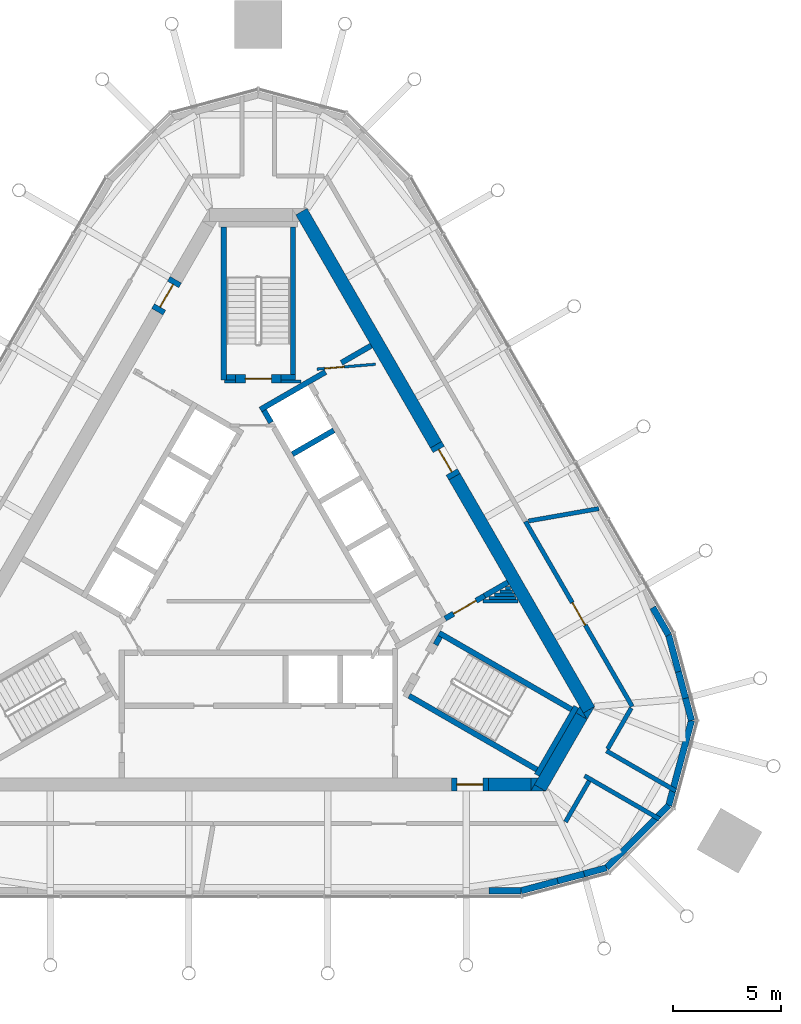
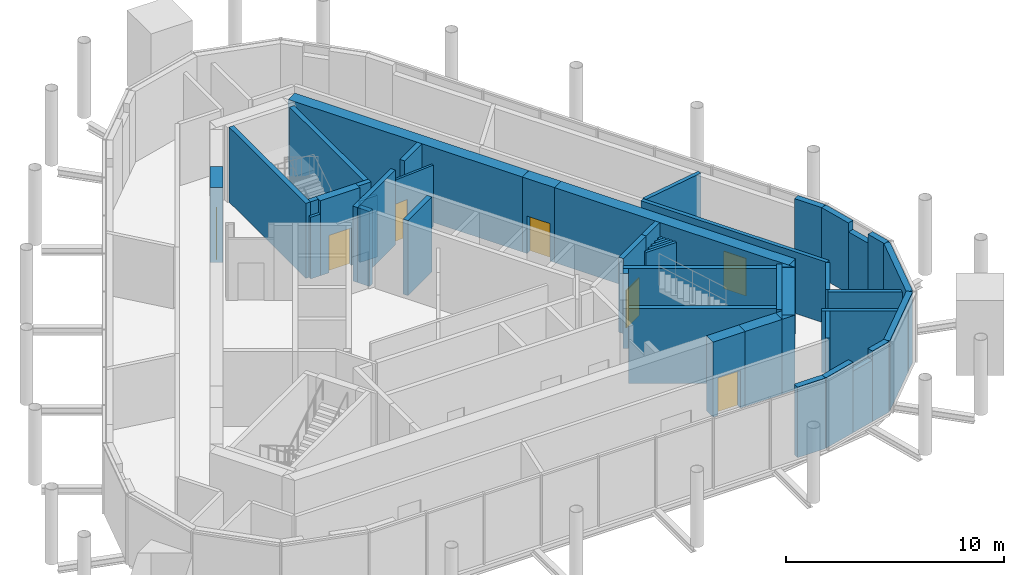
# One storey, part 9 of 11: 50 walls, 7 doors, 7 openings.
"""IFC4 building model written with IfcOpenShell, lengths in metres."""

from ifc_helpers import new_model, si_unit, direction, frame, frame_2d, origin, place, context, subcontext, project, spatial, polyline, rectangle, outline, extrude, material, layer, layer_set, type_object, element, fill, save


model = new_model("IFC4")

# Units and contexts
model_context = context("Model", 3, precision=1e-05, world=origin(), true_north=direction((0.0, 1.0)))
body_context = subcontext(model_context, "Body", "Model", "MODEL_VIEW")
ifc_project = project(units=[si_unit("LENGTHUNIT", "METRE"), si_unit("AREAUNIT", "SQUARE_METRE"), si_unit("VOLUMEUNIT", "CUBIC_METRE"), si_unit("PLANEANGLEUNIT", "RADIAN"), si_unit("MASSUNIT", "GRAM", prefix="KILO")], contexts=[model_context])

# Site, building, storey
site_placement = place(None, origin())
site = spatial("IfcSite", under=ifc_project, at=site_placement, CompositionType="ELEMENT")
building_placement = place(site_placement, origin())
building = spatial("IfcBuilding", under=site, at=building_placement, Name="Mestral Congress Tower", CompositionType="ELEMENT")
storey_placement = place(building_placement, frame((0.0, 0.0, 331.800048828125)))
storey = spatial("IfcBuildingStorey", under=building, at=storey_placement, Name="L77", CompositionType="ELEMENT", Elevation=331.800048828125)

# Walls
ifc_material_1 = material(Name="Fire-rated board partition")
ifc_layer_1 = layer(ifc_material_1, 0.14990234375)
ifc_layer_set_1 = layer_set([ifc_layer_1], Name="Fire-rated board partition")
wall_type_1 = type_object("IfcWallType", Name="Core partition 150", PredefinedType="PARTITIONING", material=ifc_layer_set_1)
wall_1_placement = place(storey_placement, frame((1.050048828125, 8.62548828125, 0.0), z_axis=(0.0, 0.0, 1.0), x_axis=(1.0, 0.0, 0.0)))
element("IfcWall", 1, at=wall_1_placement, inside=storey, type_object=wall_type_1, Name="L77 core wall", PredefinedType="PARTITIONING", context=body_context, shape_type="SweptSolid", body=[
    extrude(rectangle(XDim=0.9287109375, YDim=0.14990234375, at=frame_2d((0.46435546875, 0.0))), origin(), (0.0, 0.0, 1.0), 3.449951171875),
])
wall_2_placement = place(storey_placement, frame((-1.56396484375, 8.62548828125, 0.0), z_axis=(0.0, 0.0, 1.0), x_axis=(1.0, 0.0, 0.0)))
element("IfcWall", 2, at=wall_2_placement, inside=storey, type_object=wall_type_1, Name="L77 core wall", PredefinedType="PARTITIONING", context=body_context, shape_type="SweptSolid", body=[
    extrude(rectangle(XDim=0.513916015625, YDim=0.14990234375, at=frame_2d((0.2568359375, 0.0))), origin(), (0.0, 0.0, 1.0), 3.449951171875),
])
wall_3_placement = place(storey_placement, frame((10.3623046875, -1.5, 0.0), z_axis=(0.0, 0.0, 1.0), x_axis=(1.0, 0.0, 0.0)))
element("IfcWall", 3, at=wall_3_placement, inside=storey, type_object=wall_type_1, Name="L77 core wall", PredefinedType="PARTITIONING", context=body_context, shape_type="SweptSolid", body=[
    extrude(rectangle(XDim=1.60986328125, YDim=0.14990234375, at=frame_2d((0.804931640625, 0.0))), origin(), (0.0, 0.0, 1.0), 3.449951171875),
])
wall_4_placement = place(storey_placement, frame((10.6220703125, -1.35009765625, 0.0), z_axis=(0.0, 0.0, 1.0), x_axis=(1.0, 0.0, 0.0)))
element("IfcWall", 4, at=wall_4_placement, inside=storey, type_object=wall_type_1, Name="L77 core wall", PredefinedType="PARTITIONING", context=body_context, shape_type="SweptSolid", body=[
    extrude(rectangle(XDim=1.263427734375, YDim=0.14990234375, at=frame_2d((0.6318359375, 0.0))), origin(), (0.0, 0.0, 1.0), 3.449951171875),
])
wall_5_placement = place(storey_placement, frame((10.881591796875, -1.199951171875, 0.0), z_axis=(0.0, 0.0, 1.0), x_axis=(1.0, 0.0, 0.0)))
element("IfcWall", 5, at=wall_5_placement, inside=storey, type_object=wall_type_1, Name="L77 core wall", PredefinedType="PARTITIONING", context=body_context, shape_type="SweptSolid", body=[
    extrude(rectangle(XDim=0.91748046875, YDim=0.14990234375, at=frame_2d((0.458740234375, 0.0))), origin(), (0.0, 0.0, 1.0), 3.449951171875),
])
wall_6_placement = place(storey_placement, frame((11.71240234375, -1.050048828125, 0.0), z_axis=(0.0, 0.0, 1.0), x_axis=(-1.0, 0.0, 0.0)))
element("IfcWall", 6, at=wall_6_placement, inside=storey, type_object=wall_type_1, Name="L77 core wall", PredefinedType="PARTITIONING", context=body_context, shape_type="SweptSolid", body=[
    extrude(rectangle(XDim=0.57080078125, YDim=0.14990234375, at=frame_2d((0.285400390625, 0.0))), origin(), (0.0, 0.0, 1.0), 3.449951171875),
])
wall_7_placement = place(storey_placement, frame((11.4013671875, -0.89990234375, 0.0), z_axis=(0.0, 0.0, 1.0), x_axis=(1.0, 0.0, 0.0)))
element("IfcWall", 7, at=wall_7_placement, inside=storey, type_object=wall_type_1, Name="L77 core wall", PredefinedType="PARTITIONING", context=body_context, shape_type="SweptSolid", body=[
    extrude(rectangle(XDim=0.224365234375, YDim=0.14990234375, at=frame_2d((0.1123046875, 0.0))), origin(), (0.0, 0.0, 1.0), 3.449951171875),
])

# Wall, opening, door
ifc_layer_2 = layer(ifc_material_1, 0.1201171875)
ifc_layer_set_2 = layer_set([ifc_layer_2], Name="Fire-rated board partition")
wall_type_2 = type_object("IfcWallType", Name="Core partition 150 door-wall 120", PredefinedType="PARTITIONING", material=ifc_layer_set_2)
wall_8_placement = place(storey_placement, frame((5.3984375, 9.418701171875, 0.0), z_axis=(0.0, 0.0, 1.0), x_axis=(-0.996653416376, -0.081743303248, 0.0)))
wall_8 = element("IfcWall", 8, at=wall_8_placement, inside=storey, type_object=wall_type_2, Name="L77 door wall", PredefinedType="PARTITIONING", context=body_context, shape_type="SweptSolid", body=[
    extrude(rectangle(XDim=2.699951171875, YDim=0.119873046875, at=frame_2d((1.35009765625, 0.0))), origin(), (0.0, 0.0, 1.0), 3.449951171875),
])
opening_1_placement = place(wall_8_placement, frame((1.449951171875, 0.0, 0.0)))
opening_1 = element("IfcOpeningElement", 9, at=opening_1_placement, cuts=wall_8, Name="Opening TD2", PredefinedType="OPENING", context=body_context, shape_type="SweptSolid", body=[
    extrude(rectangle(XDim=0.89990234375, YDim=2.10009765625, at=frame_2d((0.449951171875, 1.050048828125))), frame((0.0, 0.06982421875, 0.0), z_axis=(0.0, -1.0, 0.0), x_axis=(1.0, 0.0, 0.0)), (0.0, 0.0, 1.0), 0.139892578125),
])
ifc_material_2 = material(Name="Fire-rated steel door set", Category="steel")
door_type_1 = type_object("IfcDoorType", Name="Core door SR 900x2100", OperationType="SINGLE_SWING_LEFT", PredefinedType="DOOR", material=ifc_material_2)
door_1_placement = place(opening_1_placement, origin())
door_1 = element("IfcDoor", 10, at=door_1_placement, inside=storey, type_object=door_type_1, Name="Door TD2", OperationType="SINGLE_SWING_LEFT", OverallHeight=2.10009765625, OverallWidth=0.89990234375, PredefinedType="DOOR", context=body_context, shape_type="SweptSolid", body=[
    extrude(rectangle(XDim=0.89990234375, YDim=2.10009765625, at=frame_2d((0.449951171875, 1.050048828125))), frame((0.0, 0.02490234375, 0.0), z_axis=(0.0, -1.0, 0.0), x_axis=(1.0, 0.0, 0.0)), (0.0, 0.0, 1.0), 0.050048828125),
])
fill(opening_1, door_1)

# Walls
ifc_material_3 = material(Name="Concrete C60/75", Category="concrete")
ifc_layer_3 = layer(ifc_material_3, 0.60009765625)
ifc_layer_set_3 = layer_set([ifc_layer_3], Name="Concrete C60/75")
wall_type_3 = type_object("IfcWallType", Name="Core wall RC 600", PredefinedType="SOLIDWALL", material=ifc_layer_set_3)
wall_9_placement = place(storey_placement, frame((9.0419921875, 4.23876953125, 0.0), z_axis=(0.0, 0.0, 1.0), x_axis=(0.500005785455, -0.866022063525, 0.0)))
element("IfcWall", 11, at=wall_9_placement, inside=storey, type_object=wall_type_3, Name="L77 core wall", PredefinedType="SOLIDWALL", context=body_context, shape_type="SweptSolid", body=[
    extrude(rectangle(XDim=12.406494140625, YDim=0.60009765625, at=frame_2d((6.203125, 0.0))), origin(), (0.0, 0.0, 1.0), 4.199951171875),
])
placement = place(storey_placement, origin())
element("IfcWall", 12, at=placement, inside=storey, type_object=wall_type_3, Name="L77 core wall", PredefinedType="SOLIDWALL", context=body_context, shape_type="SweptSolid", body=[
    extrude(outline(polyline([(15.155517578125, -6.949951171875), (14.986572265625, -6.6572265625), (15.493408203125, -6.364501953125), (15.155517578125, -6.949951171875)])), origin(), (0.0, 0.0, 1.0), 4.199951171875),
])
wall_11_placement = place(storey_placement, frame((12.9873046875, -10.105712890625, 0.0), z_axis=(0.0, 0.0, 1.0), x_axis=(0.499950938802, 0.866053727428, 0.0)))
element("IfcWall", 13, at=wall_11_placement, inside=storey, type_object=wall_type_3, Name="L77 core wall", PredefinedType="SOLIDWALL", context=body_context, shape_type="SweptSolid", body=[
    extrude(rectangle(XDim=3.8232421875, YDim=0.60009765625, at=frame_2d((1.91162109375, 0.0))), origin(), (0.0, 0.0, 1.0), 4.199951171875),
])
element("IfcWall", 14, at=placement, inside=storey, type_object=wall_type_3, Name="L77 core wall", PredefinedType="SOLIDWALL", context=body_context, shape_type="SweptSolid", body=[
    extrude(outline(polyline([(12.726318359375, -9.957275390625), (13.2333984375, -10.25), (12.557373046875, -10.25), (12.726318359375, -9.957275390625)])), origin(), (0.0, 0.0, 1.0), 4.199951171875),
])
element("IfcWall", 15, at=placement, inside=storey, type_object=wall_type_3, Name="L77 core wall", PredefinedType="SOLIDWALL", context=body_context, shape_type="SweptSolid", body=[
    extrude(outline(polyline([(14.80908203125, -6.35009765625), (15.147216796875, -6.935791015625), (14.639892578125, -6.642822265625), (14.80908203125, -6.35009765625)])), origin(), (0.0, 0.0, 1.0), 4.199951171875),
])
wall_14_placement = place(storey_placement, frame((10.6044921875, -9.949951171875, 0.0), z_axis=(0.0, 0.0, 1.0), x_axis=(1.0, 0.0, 0.0)))
element("IfcWall", 16, at=wall_14_placement, inside=storey, type_object=wall_type_3, Name="L77 core wall", PredefinedType="SOLIDWALL", context=body_context, shape_type="SweptSolid", body=[
    extrude(rectangle(XDim=1.959228515625, YDim=0.60009765625, at=frame_2d((0.9794921875, 0.0))), origin(), (0.0, 0.0, 1.0), 4.199951171875),
])
element("IfcWall", 17, at=placement, inside=storey, type_object=wall_type_3, Name="L77 core wall", PredefinedType="SOLIDWALL", context=body_context, shape_type="SweptSolid", body=[
    extrude(outline(polyline([(12.90380859375, -9.64990234375), (12.56591796875, -10.235595703125), (12.56591796875, -9.64990234375), (12.90380859375, -9.64990234375)])), origin(), (0.0, 0.0, 1.0), 4.199951171875),
])
wall_16_placement = place(storey_placement, frame((1.98876953125, 16.45556640625, 0.0), z_axis=(0.0, 0.0, 1.0), x_axis=(0.49999102663, -0.8660305845, 0.0)))
element("IfcWall", 18, at=wall_16_placement, inside=storey, type_object=wall_type_3, Name="L77 core wall", PredefinedType="SOLIDWALL", context=body_context, shape_type="SweptSolid", body=[
    extrude(rectangle(XDim=12.406494140625, YDim=0.60009765625, at=frame_2d((6.203125, 0.0))), origin(), (0.0, 0.0, 1.0), 4.199951171875),
])

# Wall, opening, door
wall_17_placement = place(storey_placement, frame((10.6044921875, -9.949951171875, 0.0), z_axis=(0.0, 0.0, 1.0), x_axis=(-1.0, 0.0, 0.0)))
wall_17 = element("IfcWall", 19, at=wall_17_placement, inside=storey, type_object=wall_type_3, Name="L77 door wall", PredefinedType="SOLIDWALL", context=body_context, shape_type="SweptSolid", body=[
    extrude(rectangle(XDim=1.699951171875, YDim=0.60009765625, at=frame_2d((0.85009765625, 0.0))), origin(), (0.0, 0.0, 1.0), 4.199951171875),
])
opening_2_placement = place(wall_17_placement, frame((0.25, 0.0, 0.0)))
opening_2 = element("IfcOpeningElement", 20, at=opening_2_placement, cuts=wall_17, Name="Opening XD1", PredefinedType="OPENING", context=body_context, shape_type="SweptSolid", body=[
    extrude(rectangle(XDim=1.199951171875, YDim=2.10009765625, at=frame_2d((0.60009765625, 1.050048828125))), frame((0.0, 0.31005859375, 0.0), z_axis=(0.0, -1.0, 0.0), x_axis=(1.0, 0.0, 0.0)), (0.0, 0.0, 1.0), 0.6201171875),
])
door_type_2 = type_object("IfcDoorType", Name="Core door XD 1200x2100", OperationType="SINGLE_SWING_LEFT", PredefinedType="DOOR", material=ifc_material_2)
door_2_placement = place(opening_2_placement, origin())
door_2 = element("IfcDoor", 21, at=door_2_placement, inside=storey, type_object=door_type_2, Name="Door XD1", OperationType="SINGLE_SWING_LEFT", OverallHeight=2.10009765625, OverallWidth=1.199951171875, PredefinedType="DOOR", context=body_context, shape_type="SweptSolid", body=[
    extrude(rectangle(XDim=1.199951171875, YDim=2.10009765625, at=frame_2d((0.60009765625, 1.050048828125))), frame((0.0, 0.02490234375, 0.0), z_axis=(0.0, -1.0, 0.0), x_axis=(1.0, 0.0, 0.0)), (0.0, 0.0, 1.0), 0.050048828125),
])
fill(opening_2, door_2)

wall_18_placement = place(storey_placement, frame((-4.65234375, 11.842041015625, 0.0), z_axis=(0.0, 0.0, 1.0), x_axis=(0.500062241894, 0.865989465428, 0.0)))
wall_18 = element("IfcWall", 22, at=wall_18_placement, inside=storey, type_object=wall_type_3, Name="L77 door wall", PredefinedType="SOLIDWALL", context=body_context, shape_type="SweptSolid", body=[
    extrude(rectangle(XDim=1.699951171875, YDim=0.60009765625, at=frame_2d((0.85009765625, 0.0))), origin(), (0.0, 0.0, 1.0), 4.199951171875),
])
opening_3_placement = place(wall_18_placement, frame((0.25, 0.0, 0.0)))
opening_3 = element("IfcOpeningElement", 23, at=opening_3_placement, cuts=wall_18, Name="Opening XD2", PredefinedType="OPENING", context=body_context, shape_type="SweptSolid", body=[
    extrude(rectangle(XDim=1.199951171875, YDim=2.10009765625, at=frame_2d((0.60009765625, 1.050048828125))), frame((0.0, 0.31005859375, 0.0), z_axis=(0.0, -1.0, 0.0), x_axis=(1.0, 0.0, 0.0)), (0.0, 0.0, 1.0), 0.6201171875),
])
door_3_placement = place(opening_3_placement, origin())
door_3 = element("IfcDoor", 24, at=door_3_placement, inside=storey, type_object=door_type_2, Name="Door XD2", OperationType="SINGLE_SWING_LEFT", OverallHeight=2.10009765625, OverallWidth=1.199951171875, PredefinedType="DOOR", context=body_context, shape_type="SweptSolid", body=[
    extrude(rectangle(XDim=1.199951171875, YDim=2.10009765625, at=frame_2d((0.60009765625, 1.050048828125))), frame((0.0, 0.02490234375, 0.0), z_axis=(0.0, -1.0, 0.0), x_axis=(1.0, 0.0, 0.0)), (0.0, 0.0, 1.0), 0.050048828125),
])
fill(opening_3, door_3)

wall_19_placement = place(storey_placement, frame((8.19189453125, 5.711181640625, 0.0), z_axis=(0.0, 0.0, 1.0), x_axis=(0.500062241894, -0.865989465428, 0.0)))
wall_19 = element("IfcWall", 25, at=wall_19_placement, inside=storey, type_object=wall_type_3, Name="L77 door wall", PredefinedType="SOLIDWALL", context=body_context, shape_type="SweptSolid", body=[
    extrude(rectangle(XDim=1.699951171875, YDim=0.60009765625, at=frame_2d((0.85009765625, 0.0))), origin(), (0.0, 0.0, 1.0), 4.199951171875),
])
opening_4_placement = place(wall_19_placement, frame((0.25, 0.0, 0.0)))
opening_4 = element("IfcOpeningElement", 26, at=opening_4_placement, cuts=wall_19, Name="Opening XDL", PredefinedType="OPENING", context=body_context, shape_type="SweptSolid", body=[
    extrude(rectangle(XDim=1.199951171875, YDim=2.10009765625, at=frame_2d((0.60009765625, 1.050048828125))), frame((0.0, 0.31005859375, 0.0), z_axis=(0.0, -1.0, 0.0), x_axis=(1.0, 0.0, 0.0)), (0.0, 0.0, 1.0), 0.6201171875),
])
door_4_placement = place(opening_4_placement, origin())
door_4 = element("IfcDoor", 27, at=door_4_placement, inside=storey, type_object=door_type_2, Name="Door XDL", OperationType="SINGLE_SWING_LEFT", OverallHeight=2.10009765625, OverallWidth=1.199951171875, PredefinedType="DOOR", context=body_context, shape_type="SweptSolid", body=[
    extrude(rectangle(XDim=1.199951171875, YDim=2.10009765625, at=frame_2d((0.60009765625, 1.050048828125))), frame((0.0, 0.02490234375, 0.0), z_axis=(0.0, -1.0, 0.0), x_axis=(1.0, 0.0, 0.0)), (0.0, 0.0, 1.0), 0.050048828125),
])
fill(opening_4, door_4)

# Walls
ifc_material_4 = material(Name="Precast concrete C40/50 with limestone facing", Category="masonry")
ifc_layer_4 = layer(ifc_material_4, 0.300048828125)
ifc_layer_set_4 = layer_set([ifc_layer_4], Name="Precast concrete C40/50 with limestone facing")
wall_type_4 = type_object("IfcWallType", Name="Crown plant block wall 300", PredefinedType="SOLIDWALL", material=ifc_layer_set_4)
wall_20_placement = place(storey_placement, frame((12.104736328125, -14.85009765625, 0.0), z_axis=(0.0, 0.0, 1.0), x_axis=(0.965915089044, 0.258859113723, 0.0)))
element("IfcWall", 28, at=wall_20_placement, inside=storey, type_object=wall_type_4, Name="Plant block wall 1", PredefinedType="SOLIDWALL", context=body_context, shape_type="SweptSolid", body=[
    extrude(rectangle(XDim=1.75244140625, YDim=0.300048828125, at=frame_2d((0.876220703125, 0.0))), origin(), (0.0, 0.0, 1.0), 3.949951171875),
])
wall_21_placement = place(storey_placement, frame((15.018310546875, -14.0693359375, 0.0), z_axis=(0.0, 0.0, 1.0), x_axis=(0.965918371587, 0.258846864828, 0.0)))
element("IfcWall", 29, at=wall_21_placement, inside=storey, type_object=wall_type_4, Name="Plant block wall 1", PredefinedType="SOLIDWALL", context=body_context, shape_type="SweptSolid", body=[
    extrude(rectangle(XDim=1.06494140625, YDim=0.300048828125, at=frame_2d((0.532470703125, 0.0))), origin(), (0.0, 0.0, 1.0), 3.949951171875),
])
for number, where, z_axis, x_axis, name in (
    (30, (16.046875, -13.793701171875, 0.0), (0.0, 0.0, 1.0), (0.707106781187, 0.707106781187, 0.0), "Plant block wall 2"),
    (31, (18.918212890625, -10.92236328125, 0.0), (0.0, 0.0, 1.0), (0.258770144726, 0.965938927779, 0.0), "Plant block wall 3"),
):
    element("IfcWall", number, at=place(storey_placement, frame(where, z_axis=z_axis, x_axis=x_axis)), inside=storey, type_object=wall_type_4, Name=name, PredefinedType="SOLIDWALL", context=body_context, shape_type="SweptSolid", body=[
        extrude(rectangle(XDim=4.060791015625, YDim=0.300048828125, at=frame_2d((2.0302734375, 0.0))), origin(), (0.0, 0.0, 1.0), 3.949951171875),
    ])
wall_22_placement = place(storey_placement, frame((19.968994140625, -7.0, 0.0), z_axis=(0.0, 0.0, 1.0), x_axis=(-0.258690231517, 0.96596033258, 0.0)))
element("IfcWall", 32, at=wall_22_placement, inside=storey, type_object=wall_type_4, Name="Plant block wall 4", PredefinedType="SOLIDWALL", context=body_context, shape_type="SweptSolid", body=[
    extrude(rectangle(XDim=1.064453125, YDim=0.300048828125, at=frame_2d((0.5322265625, 0.0))), origin(), (0.0, 0.0, 1.0), 3.949951171875),
])
wall_23_placement = place(storey_placement, frame((19.366455078125, -4.750732421875, 0.0), z_axis=(0.0, 0.0, 1.0), x_axis=(-0.258824282894, 0.965924422812, 0.0)))
element("IfcWall", 33, at=wall_23_placement, inside=storey, type_object=wall_type_4, Name="Plant block wall 4", PredefinedType="SOLIDWALL", context=body_context, shape_type="SweptSolid", body=[
    extrude(rectangle(XDim=1.752685546875, YDim=0.300048828125, at=frame_2d((0.87646484375, 0.0))), origin(), (0.0, 0.0, 1.0), 3.949951171875),
])
wall_24_placement = place(storey_placement, frame((18.912841796875, -3.057861328125, 0.0), z_axis=(0.0, 0.0, 1.0), x_axis=(-0.500049712553, 0.865996700326, 0.0)))
element("IfcWall", 34, at=wall_24_placement, inside=storey, type_object=wall_type_4, Name="Plant block wall 5", PredefinedType="SOLIDWALL", context=body_context, shape_type="SweptSolid", body=[
    extrude(rectangle(XDim=1.463623046875, YDim=0.300048828125, at=frame_2d((0.73193359375, 0.0))), origin(), (0.0, 0.0, 1.0), 3.949951171875),
])
wall_25_placement = place(storey_placement, frame((10.640869140625, -14.85009765625, 0.0), z_axis=(0.0, 0.0, 1.0), x_axis=(1.0, 0.0, 0.0)))
element("IfcWall", 35, at=wall_25_placement, inside=storey, type_object=wall_type_4, Name="Plant block wall 15", PredefinedType="SOLIDWALL", context=body_context, shape_type="SweptSolid", body=[
    extrude(rectangle(XDim=1.4638671875, YDim=0.300048828125, at=frame_2d((0.73193359375, 0.0))), origin(), (0.0, 0.0, 1.0), 3.949951171875),
])
ifc_layer_5 = layer(ifc_material_4, 0.300048828125)
ifc_layer_set_5 = layer_set([ifc_layer_5], Name="Precast concrete C40/50 with limestone facing")
wall_type_5 = type_object("IfcWallType", Name="Crown plant block wall 300 under girder", PredefinedType="SOLIDWALL", material=ifc_layer_set_5)
for number, where, z_axis, x_axis, name in (
    (36, (13.79736328125, -14.396484375, 0.0), (0.0, 0.0, 1.0), (0.965926498018, 0.258816538161, 0.0), "Plant block wall 1"),
    (37, (19.693603515625, -5.9716796875, 0.0), (0.0, 0.0, 1.0), (-0.258816538161, 0.965926498018, 0.0), "Plant block wall 4"),
):
    element("IfcWall", number, at=place(storey_placement, frame(where, z_axis=z_axis, x_axis=x_axis)), inside=storey, type_object=wall_type_5, Name=name, PredefinedType="SOLIDWALL", context=body_context, shape_type="SweptSolid", body=[
        extrude(rectangle(XDim=1.263916015625, YDim=0.300048828125, at=frame_2d((0.6318359375, 0.0))), origin(), (0.0, 0.0, 1.0), 3.449951171875),
    ])
ifc_layer_6 = layer(ifc_material_3, 0.25)
ifc_layer_set_6 = layer_set([ifc_layer_6], Name="Concrete C60/75")
wall_type_6 = type_object("IfcWallType", Name="Shaft wall RC 250", PredefinedType="SOLIDWALL", material=ifc_layer_set_6)
wall_26_placement = place(storey_placement, frame((11.507080078125, -0.631103515625, 0.0), z_axis=(0.0, 0.0, 1.0), x_axis=(-0.866025525965, -0.499999788377, 0.0)))
element("IfcWall", 38, at=wall_26_placement, inside=storey, type_object=wall_type_6, Name="L77 core wall", PredefinedType="SOLIDWALL", context=body_context, shape_type="SweptSolid", body=[
    extrude(rectangle(XDim=1.24462890625, YDim=0.25, at=frame_2d((0.622314453125, 0.0))), origin(), (0.0, 0.0, 1.0), 4.199951171875),
])
wall_27_placement = place(storey_placement, frame((3.10009765625, 9.064453125, 0.0), z_axis=(0.0, 0.0, 1.0), x_axis=(-0.866033137035, -0.499986605379, 0.0)))
element("IfcWall", 39, at=wall_27_placement, inside=storey, type_object=wall_type_6, Name="L77 core wall", PredefinedType="SOLIDWALL", context=body_context, shape_type="SweptSolid", body=[
    extrude(rectangle(XDim=3.466796875, YDim=0.25, at=frame_2d((1.7333984375, 0.0))), origin(), (0.0, 0.0, 1.0), 4.199951171875),
])
wall_28_placement = place(storey_placement, frame((0.268310546875, 7.28515625, 0.0), z_axis=(0.0, 0.0, 1.0), x_axis=(0.500098681536, -0.865968422476, 0.0)))
element("IfcWall", 40, at=wall_28_placement, inside=storey, type_object=wall_type_6, Name="L77 core wall", PredefinedType="SOLIDWALL", context=body_context, shape_type="SweptSolid", body=[
    extrude(rectangle(XDim=0.636474609375, YDim=0.25, at=frame_2d((0.318359375, 0.0))), origin(), (0.0, 0.0, 1.0), 4.199951171875),
])
wall_29_placement = place(storey_placement, frame((1.57421875, 5.273681640625, 0.0), z_axis=(0.0, 0.0, 1.0), x_axis=(0.866028486751, 0.499994660107, 0.0)))
element("IfcWall", 41, at=wall_29_placement, inside=storey, type_object=wall_type_6, Name="L77 core wall", PredefinedType="SOLIDWALL", context=body_context, shape_type="SweptSolid", body=[
    extrude(rectangle(XDim=2.19970703125, YDim=0.25, at=frame_2d((1.099853515625, 0.0))), origin(), (0.0, 0.0, 1.0), 4.199951171875),
])
wall_30_placement = place(storey_placement, frame((3.82958984375, 9.485595703125, 0.0), z_axis=(0.0, 0.0, 1.0), x_axis=(0.865986202621, 0.500067892261, 0.0)))
element("IfcWall", 42, at=wall_30_placement, inside=storey, type_object=wall_type_6, Name="L77 core wall", PredefinedType="SOLIDWALL", context=body_context, shape_type="SweptSolid", body=[
    extrude(rectangle(XDim=1.590576171875, YDim=0.25, at=frame_2d((0.79541015625, 0.0))), origin(), (0.0, 0.0, 1.0), 4.199951171875),
])

# Wall, opening, door
wall_31_placement = place(storey_placement, frame((10.42919921875, -1.25341796875, 0.0), z_axis=(0.0, 0.0, 1.0), x_axis=(-0.866009402589, -0.500027713859, 0.0)))
wall_31 = element("IfcWall", 43, at=wall_31_placement, inside=storey, type_object=wall_type_6, Name="L77 door wall", PredefinedType="SOLIDWALL", context=body_context, shape_type="SweptSolid", body=[
    extrude(rectangle(XDim=2.10009765625, YDim=0.25, at=frame_2d((1.050048828125, 0.0))), origin(), (0.0, 0.0, 1.0), 4.199951171875),
])
opening_5_placement = place(wall_31_placement, frame((0.449951171875, 0.0, 0.0)))
opening_5 = element("IfcOpeningElement", 44, at=opening_5_placement, cuts=wall_31, Name="Opening LB1-PX10", PredefinedType="OPENING", context=body_context, shape_type="SweptSolid", body=[
    extrude(rectangle(XDim=1.199951171875, YDim=2.10009765625, at=frame_2d((0.60009765625, 1.050048828125))), frame((0.0, 0.135009765625, 0.0), z_axis=(0.0, -1.0, 0.0), x_axis=(1.0, 0.0, 0.0)), (0.0, 0.0, 1.0), 0.27001953125),
])
door_type_3 = type_object("IfcDoorType", Name="Core door LB 1200x2100", OperationType="SINGLE_SWING_LEFT", PredefinedType="DOOR", material=ifc_material_2)
door_5_placement = place(opening_5_placement, origin())
door_5 = element("IfcDoor", 45, at=door_5_placement, inside=storey, type_object=door_type_3, Name="Door LB1-PX10", OperationType="SINGLE_SWING_LEFT", OverallHeight=2.10009765625, OverallWidth=1.199951171875, PredefinedType="DOOR", context=body_context, shape_type="SweptSolid", body=[
    extrude(rectangle(XDim=1.199951171875, YDim=2.10009765625, at=frame_2d((0.60009765625, 1.050048828125))), frame((0.0, 0.02490234375, 0.0), z_axis=(0.0, -1.0, 0.0), x_axis=(1.0, 0.0, 0.0)), (0.0, 0.0, 1.0), 0.050048828125),
])
fill(opening_5, door_5)

ifc_material_5 = material(Name="Concrete block wall, plastered", Category="concrete")
ifc_layer_7 = layer(ifc_material_5, 0.199951171875)
ifc_layer_set_7 = layer_set([ifc_layer_7], Name="Concrete block wall, plastered")
wall_type_7 = type_object("IfcWallType", Name="Special partition 200 EI 120", PredefinedType="PARTITIONING", material=ifc_layer_set_7)
wall_32_placement = place(storey_placement, frame((17.23388671875, -6.35009765625, 0.0), z_axis=(0.0, 0.0, 1.0), x_axis=(-0.500003092839, 0.866023618125, 0.0)))
wall_32 = element("IfcWall", 46, at=wall_32_placement, inside=storey, type_object=wall_type_7, Name="Partition", PredefinedType="PARTITIONING", context=body_context, shape_type="SweptSolid", body=[
    extrude(rectangle(XDim=9.83984375, YDim=0.199951171875, at=frame_2d((4.919921875, 0.0))), origin(), (0.0, 0.0, 1.0), 3.449951171875),
])
opening_6_placement = place(wall_32_placement, frame((4.31982421875, 0.0, 0.0)))
opening_6 = element("IfcOpeningElement", 47, at=opening_6_placement, cuts=wall_32, Name="Opening K77-004", PredefinedType="OPENING", context=body_context, shape_type="SweptSolid", body=[
    extrude(rectangle(XDim=1.199951171875, YDim=2.10009765625, at=frame_2d((0.60009765625, 1.050048828125))), frame((0.0, 0.10986328125, 0.0), z_axis=(0.0, -1.0, 0.0), x_axis=(1.0, 0.0, 0.0)), (0.0, 0.0, 1.0), 0.219970703125),
])
door_type_4 = type_object("IfcDoorType", Name="Plant room door 1200x2100", OperationType="SINGLE_SWING_LEFT", PredefinedType="DOOR", material=ifc_material_2)
door_6_placement = place(opening_6_placement, origin())
door_6 = element("IfcDoor", 48, at=door_6_placement, inside=storey, type_object=door_type_4, Name="Door K77-004", OperationType="SINGLE_SWING_RIGHT", OverallHeight=2.10009765625, OverallWidth=1.199951171875, PredefinedType="DOOR", context=body_context, shape_type="SweptSolid", body=[
    extrude(rectangle(XDim=1.199951171875, YDim=2.10009765625, at=frame_2d((0.60009765625, 1.050048828125))), frame((0.0, 0.02490234375, 0.0), z_axis=(0.0, -1.0, 0.0), x_axis=(1.0, 0.0, 0.0)), (0.0, 0.0, 1.0), 0.050048828125),
])
fill(opening_6, door_6)

# Walls
wall_33_placement = place(storey_placement, frame((16.050048828125, -8.400390625, 0.0), z_axis=(0.0, 0.0, 1.0), x_axis=(0.866026863259, -0.499997472108, 0.0)))
element("IfcWall", 49, at=wall_33_placement, inside=storey, type_object=wall_type_7, Name="Partition", PredefinedType="PARTITIONING", context=body_context, shape_type="SweptSolid", body=[
    extrude(rectangle(XDim=3.6884765625, YDim=0.199951171875, at=frame_2d((1.84423828125, 0.0))), origin(), (0.0, 0.0, 1.0), 3.449951171875),
])
wall_34_placement = place(storey_placement, frame((18.494384765625, -11.543701171875, 0.0), z_axis=(0.0, 0.0, 1.0), x_axis=(-0.866034723298, 0.499983857782, 0.0)))
element("IfcWall", 50, at=wall_34_placement, inside=storey, type_object=wall_type_7, Name="Partition", PredefinedType="PARTITIONING", context=body_context, shape_type="SweptSolid", body=[
    extrude(rectangle(XDim=3.988525390625, YDim=0.199951171875, at=frame_2d((1.994140625, 0.0))), origin(), (0.0, 0.0, 1.0), 3.449951171875),
])
wall_35_placement = place(storey_placement, frame((12.451904296875, 2.195556640625, 0.0), z_axis=(0.0, 0.0, 1.0), x_axis=(0.984804409481, 0.173667138707, 0.0)))
element("IfcWall", 51, at=wall_35_placement, inside=storey, type_object=wall_type_7, Name="Partition", PredefinedType="PARTITIONING", context=body_context, shape_type="SweptSolid", body=[
    extrude(rectangle(XDim=3.29931640625, YDim=0.199951171875, at=frame_2d((1.649658203125, 0.0))), origin(), (0.0, 0.0, 1.0), 3.449951171875),
])
for number, where, z_axis, x_axis, name in (
    (52, (15.25, -9.7861328125, 0.0), (0.0, 0.0, 1.0), (-0.499997407846, -0.86602690036, 0.0), "Partition"),
    (53, (17.18896484375, -6.427978515625, 0.0), (0.0, 0.0, 1.0), (-0.499997407846, -0.86602690036, 0.0), "Partition"),
):
    element("IfcWall", number, at=place(storey_placement, frame(where, z_axis=z_axis, x_axis=x_axis)), inside=storey, type_object=wall_type_7, Name=name, PredefinedType="PARTITIONING", context=body_context, shape_type="SweptSolid", body=[
        extrude(rectangle(XDim=2.177734375, YDim=0.199951171875, at=frame_2d((1.0888671875, 0.0))), origin(), (0.0, 0.0, 1.0), 3.449951171875),
    ])
ifc_layer_8 = layer(ifc_material_3, 0.25)
ifc_layer_set_8 = layer_set([ifc_layer_8], Name="Concrete C60/75")
wall_type_8 = type_object("IfcWallType", Name="Stair wall RC 250", PredefinedType="SOLIDWALL", material=ifc_layer_set_8)
wall_36_placement = place(storey_placement, frame((12.839599609375, -9.510986328125, 0.0), z_axis=(0.0, 0.0, 1.0), x_axis=(0.500048121057, 0.865997619297, 0.0)))
element("IfcWall", 54, at=wall_36_placement, inside=storey, type_object=wall_type_8, Name="L77 core wall", PredefinedType="SOLIDWALL", context=body_context, shape_type="SweptSolid", body=[
    extrude(rectangle(XDim=3.634033203125, YDim=0.25, at=frame_2d((1.81689453125, 0.0))), origin(), (0.0, 0.0, 1.0), 4.199951171875),
])
wall_37_placement = place(storey_placement, frame((12.83984375, -9.2607421875, 0.0), z_axis=(0.0, 0.0, 1.0), x_axis=(-0.866013990052, 0.500019768644, 0.0)))
element("IfcWall", 55, at=wall_37_placement, inside=storey, type_object=wall_type_8, Name="L77 core wall", PredefinedType="SOLIDWALL", context=body_context, shape_type="SweptSolid", body=[
    extrude(rectangle(XDim=6.800048828125, YDim=0.25, at=frame_2d((3.39990234375, 0.0))), origin(), (0.0, 0.0, 1.0), 4.199951171875),
])
wall_38_placement = place(storey_placement, frame((8.33447265625, -2.96435546875, 0.0), z_axis=(0.0, 0.0, 1.0), x_axis=(0.866016039709, -0.500016218704, 0.0)))
element("IfcWall", 56, at=wall_38_placement, inside=storey, type_object=wall_type_8, Name="L77 core wall", PredefinedType="SOLIDWALL", context=body_context, shape_type="SweptSolid", body=[
    extrude(rectangle(XDim=7.050048828125, YDim=0.25, at=frame_2d((3.52490234375, 0.0))), origin(), (0.0, 0.0, 1.0), 4.199951171875),
])
wall_39_placement = place(storey_placement, frame((8.167724609375, -3.503173828125, 0.0), z_axis=(0.0, 0.0, 1.0), x_axis=(0.49972245349, 0.866185586049, 0.0)))
element("IfcWall", 57, at=wall_39_placement, inside=storey, type_object=wall_type_8, Name="L77 core wall", PredefinedType="SOLIDWALL", context=body_context, shape_type="SweptSolid", body=[
    extrude(rectangle(XDim=0.425048828125, YDim=0.25, at=frame_2d((0.21240234375, 0.0))), origin(), (0.0, 0.0, 1.0), 4.199951171875),
])
wall_40_placement = place(storey_placement, frame((1.60009765625, 8.949951171875, 0.0), z_axis=(0.0, 0.0, 1.0), x_axis=(0.0, 1.0, 0.0)))
element("IfcWall", 58, at=wall_40_placement, inside=storey, type_object=wall_type_8, Name="L77 core wall", PredefinedType="SOLIDWALL", context=body_context, shape_type="SweptSolid", body=[
    extrude(rectangle(XDim=6.800048828125, YDim=0.25, at=frame_2d((3.39990234375, 0.0))), origin(), (0.0, 0.0, 1.0), 4.199951171875),
])
wall_41_placement = place(storey_placement, frame((1.050048828125, 8.824951171875, 0.0), z_axis=(0.0, 0.0, 1.0), x_axis=(1.0, 0.0, 0.0)))
element("IfcWall", 59, at=wall_41_placement, inside=storey, type_object=wall_type_8, Name="L77 core wall", PredefinedType="SOLIDWALL", context=body_context, shape_type="SweptSolid", body=[
    extrude(rectangle(XDim=0.675048828125, YDim=0.25, at=frame_2d((0.33740234375, 0.0))), origin(), (0.0, 0.0, 1.0), 4.199951171875),
])
wall_42_placement = place(storey_placement, frame((-1.60009765625, 8.699951171875, 0.0), z_axis=(0.0, 0.0, 1.0), x_axis=(0.0, 1.0, 0.0)))
element("IfcWall", 60, at=wall_42_placement, inside=storey, type_object=wall_type_8, Name="L77 core wall", PredefinedType="SOLIDWALL", context=body_context, shape_type="SweptSolid", body=[
    extrude(rectangle(XDim=7.050048828125, YDim=0.25, at=frame_2d((3.52490234375, 0.0))), origin(), (0.0, 0.0, 1.0), 4.199951171875),
])
wall_43_placement = place(storey_placement, frame((-1.47509765625, 8.824951171875, 0.0), z_axis=(0.0, 0.0, 1.0), x_axis=(1.0, 0.0, 0.0)))
element("IfcWall", 61, at=wall_43_placement, inside=storey, type_object=wall_type_8, Name="L77 core wall", PredefinedType="SOLIDWALL", context=body_context, shape_type="SweptSolid", body=[
    extrude(rectangle(XDim=0.425048828125, YDim=0.25, at=frame_2d((0.21240234375, 0.0))), origin(), (0.0, 0.0, 1.0), 4.199951171875),
])

# Wall, opening, door
ifc_layer_9 = layer(ifc_material_3, 0.39990234375)
ifc_layer_set_9 = layer_set([ifc_layer_9], Name="Concrete C60/75")
wall_type_9 = type_object("IfcWallType", Name="Stair wall RC 250 door-wall 400", PredefinedType="SOLIDWALL", material=ifc_layer_set_9)
wall_44_placement = place(storey_placement, frame((1.050048828125, 8.75, 0.0), z_axis=(0.0, 0.0, 1.0), x_axis=(-1.0, 0.0, 0.0)))
wall_44 = element("IfcWall", 62, at=wall_44_placement, inside=storey, type_object=wall_type_9, Name="L77 door wall", PredefinedType="SOLIDWALL", context=body_context, shape_type="SweptSolid", body=[
    extrude(rectangle(XDim=2.10009765625, YDim=0.39990234375, at=frame_2d((1.050048828125, 0.0))), origin(), (0.0, 0.0, 1.0), 4.199951171875),
])
opening_7_placement = place(wall_44_placement, frame((0.449951171875, 0.0, 0.0)))
opening_7 = element("IfcOpeningElement", 63, at=opening_7_placement, cuts=wall_44, Name="Opening ST-D2", PredefinedType="OPENING", context=body_context, shape_type="SweptSolid", body=[
    extrude(rectangle(XDim=1.199951171875, YDim=2.10009765625, at=frame_2d((0.60009765625, 1.050048828125))), frame((0.0, 0.2099609375, 0.0), z_axis=(0.0, -1.0, 0.0), x_axis=(1.0, 0.0, 0.0)), (0.0, 0.0, 1.0), 0.419921875),
])
door_type_5 = type_object("IfcDoorType", Name="Core door ST 1200x2100", OperationType="SINGLE_SWING_LEFT", PredefinedType="DOOR", material=ifc_material_2)
door_7_placement = place(opening_7_placement, origin())
door_7 = element("IfcDoor", 64, at=door_7_placement, inside=storey, type_object=door_type_5, Name="Door ST-D2", OperationType="SINGLE_SWING_LEFT", OverallHeight=2.10009765625, OverallWidth=1.199951171875, PredefinedType="DOOR", context=body_context, shape_type="SweptSolid", body=[
    extrude(rectangle(XDim=1.199951171875, YDim=2.10009765625, at=frame_2d((0.60009765625, 1.050048828125))), frame((0.0, 0.02490234375, 0.0), z_axis=(0.0, -1.0, 0.0), x_axis=(1.0, 0.0, 0.0)), (0.0, 0.0, 1.0), 0.050048828125),
])
fill(opening_7, door_7)

save(model, "model.ifc")
